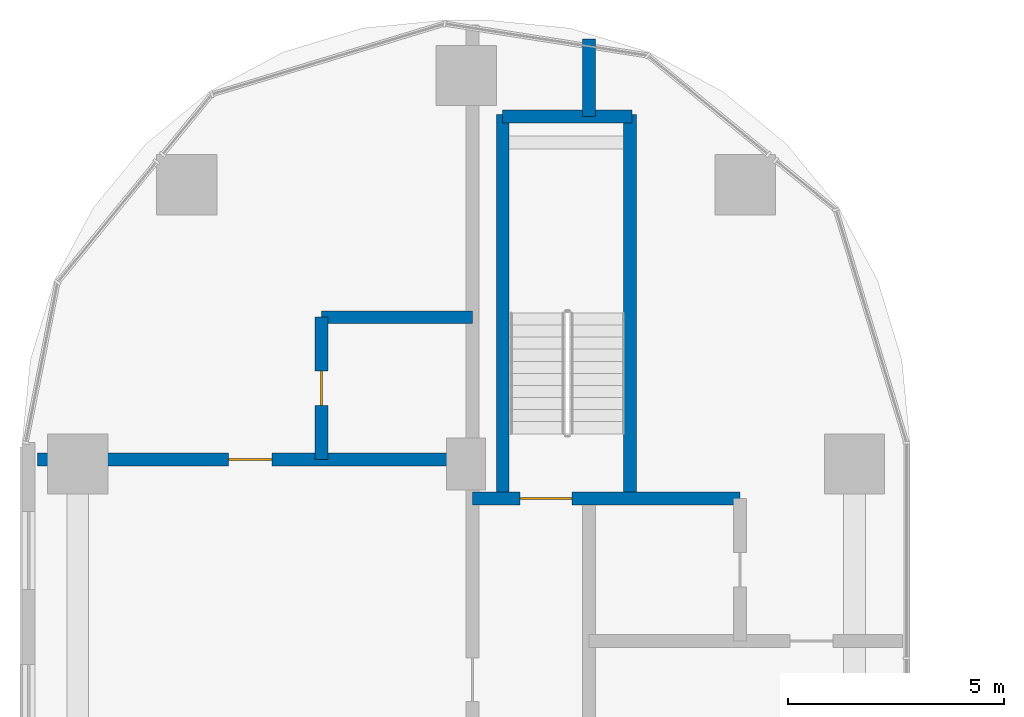
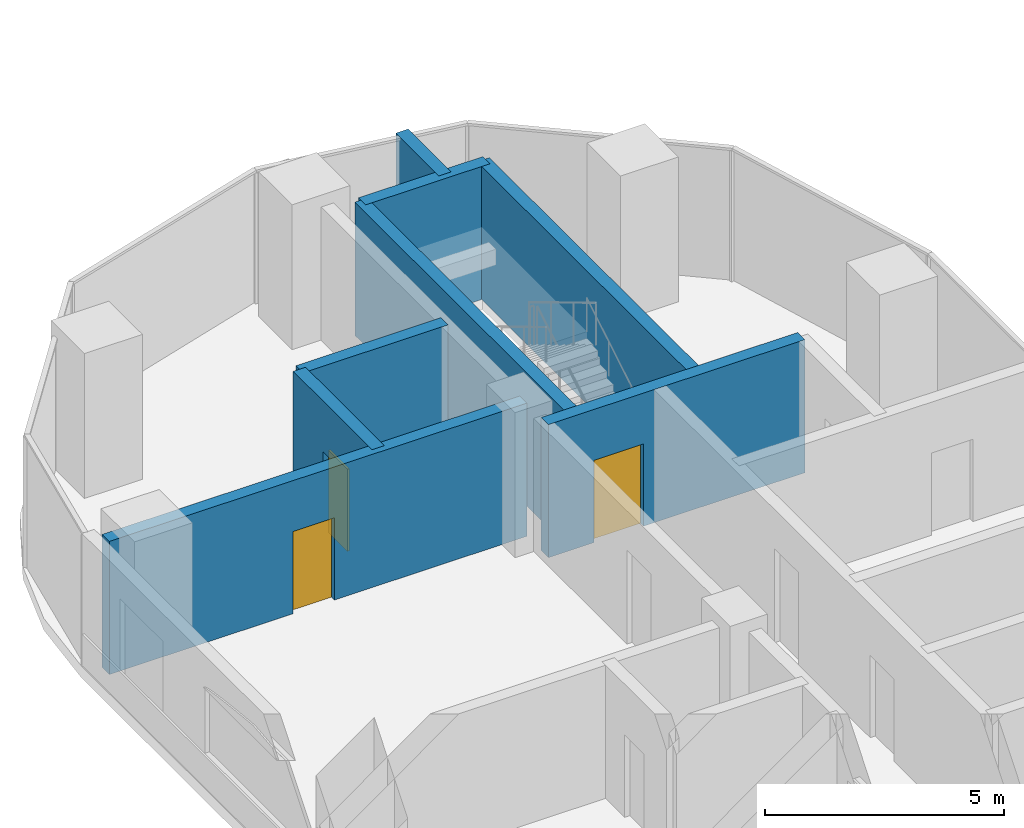
# One storey, part 23 of 36: 8 walls, 3 doors, 3 openings.
"""IFC4 building model written with IfcOpenShell, lengths in metres."""

from ifc_helpers import new_model, si_unit, direction, frame, frame_2d, origin, place, context, subcontext, project, spatial, rectangle, extrude, material, layer, layer_set, type_object, element, fill, save


model = new_model("IFC4")

# Units and contexts
model_context = context("Model", 3, precision=1e-05, world=origin(), true_north=direction((0.0, 1.0)))
body_context = subcontext(model_context, "Body", "Model", "MODEL_VIEW")
ifc_project = project(units=[si_unit("LENGTHUNIT", "METRE"), si_unit("AREAUNIT", "SQUARE_METRE"), si_unit("VOLUMEUNIT", "CUBIC_METRE"), si_unit("PLANEANGLEUNIT", "RADIAN"), si_unit("MASSUNIT", "GRAM", prefix="KILO")], contexts=[model_context])

# Site, building, storey
site_placement = place(None, origin())
site = spatial("IfcSite", under=ifc_project, at=site_placement, CompositionType="ELEMENT")
building_placement = place(site_placement, origin())
building = spatial("IfcBuilding", under=site, at=building_placement, Name="Ogive Portal Towers", CompositionType="ELEMENT")
storey_placement = place(building_placement, frame((0.0, 0.0, 48.300048828125)))
storey = spatial("IfcBuildingStorey", under=building, at=storey_placement, Name="L10", CompositionType="ELEMENT", Elevation=48.300048828125)

# Wall, opening, door
ifc_material_1 = material(Name="Concrete C50/60", Category="concrete")
ifc_layer_1 = layer(ifc_material_1, 0.300048828125)
ifc_layer_set_1 = layer_set([ifc_layer_1], Name="STAIR WALL 300 C50")
wall_type_1 = type_object("IfcWallType", Name="STAIR WALL 300 C50", PredefinedType="SHEAR", material=ifc_layer_set_1)
wall_1_placement = place(storey_placement, frame((40.64990234375, 65.699951171875, 0.0), z_axis=(0.0, 0.0, 1.0), x_axis=(1.0, 0.0, 0.0)))
wall_1 = element("IfcWall", 1, at=wall_1_placement, inside=storey, type_object=wall_type_1, Name="Stair wall ST-A3 L10", PredefinedType="SHEAR", context=body_context, shape_type="SweptSolid", body=[
    extrude(rectangle(XDim=6.2001953125, YDim=0.300048828125, at=frame_2d((3.10009765625, 0.0))), origin(), (0.0, 0.0, 1.0), 3.39990234375),
])
opening_1_placement = place(wall_1_placement, frame((1.10009765625, 0.0, 0.0)))
opening_1 = element("IfcOpeningElement", 2, at=opening_1_placement, cuts=wall_1, Name="Opening D02-068", PredefinedType="OPENING", context=body_context, shape_type="SweptSolid", body=[
    extrude(rectangle(XDim=1.199951171875, YDim=2.10009765625, at=frame_2d((0.60009765625, 1.050048828125))), frame((0.0, 0.16015625, 0.0), z_axis=(0.0, -1.0, 0.0), x_axis=(1.0, 0.0, 0.0)), (0.0, 0.0, 1.0), 0.320068359375),
])
ifc_material_2 = material(Name="Steel fire door", Category="steel")
door_type_1 = type_object("IfcDoorType", Name="DT-STAIR-1200x2100-FD90S", OperationType="SINGLE_SWING_LEFT", PredefinedType="DOOR", material=ifc_material_2)
door_1_placement = place(opening_1_placement, origin())
door_1 = element("IfcDoor", 3, at=door_1_placement, inside=storey, type_object=door_type_1, Name="Door D02-068", OperationType="SINGLE_SWING_RIGHT", OverallHeight=2.10009765625, OverallWidth=1.199951171875, PredefinedType="DOOR", context=body_context, shape_type="SweptSolid", body=[
    extrude(rectangle(XDim=1.199951171875, YDim=2.10009765625, at=frame_2d((0.60009765625, 1.050048828125))), frame((0.0, 0.02490234375, 0.0), z_axis=(0.0, -1.0, 0.0), x_axis=(1.0, 0.0, 0.0)), (0.0, 0.0, 1.0), 0.050048828125),
])
fill(opening_1, door_1)

# Walls
wall_2_placement = place(storey_placement, frame((41.35009765625, 74.550048828125, 0.0), z_axis=(0.0, 0.0, 1.0), x_axis=(1.0, 0.0, 0.0)))
element("IfcWall", 4, at=wall_2_placement, inside=storey, type_object=wall_type_1, Name="Stair wall ST-A3 L10", PredefinedType="SHEAR", context=body_context, shape_type="SweptSolid", body=[
    extrude(rectangle(XDim=3.0, YDim=0.300048828125, at=frame_2d((1.5, 0.0))), origin(), (0.0, 0.0, 1.0), 3.39990234375),
])
wall_3_placement = place(storey_placement, frame((41.35009765625, 65.75, 0.0), z_axis=(0.0, 0.0, 1.0), x_axis=(0.0, 1.0, 0.0)))
element("IfcWall", 5, at=wall_3_placement, inside=storey, type_object=wall_type_1, Name="Stair wall ST-A3 L10", PredefinedType="SHEAR", context=body_context, shape_type="SweptSolid", body=[
    extrude(rectangle(XDim=8.85009765625, YDim=0.300048828125, at=frame_2d((4.425048828125, 0.0))), origin(), (0.0, 0.0, 1.0), 3.39990234375),
])
wall_4_placement = place(storey_placement, frame((44.300048828125, 65.699951171875, 0.0), z_axis=(0.0, 0.0, 1.0), x_axis=(0.0, 1.0, 0.0)))
element("IfcWall", 6, at=wall_4_placement, inside=storey, type_object=wall_type_1, Name="Stair wall ST-A3 L10", PredefinedType="SHEAR", context=body_context, shape_type="SweptSolid", body=[
    extrude(rectangle(XDim=8.900146484375, YDim=0.300048828125, at=frame_2d((4.4501953125, 0.0))), origin(), (0.0, 0.0, 1.0), 3.39990234375),
])

# Wall, opening, door
ifc_material_3 = material(Name="Gypsum board partition on steel studs", Category="steel")
ifc_layer_2 = layer(ifc_material_3, 0.300048828125)
ifc_layer_set_2 = layer_set([ifc_layer_2], Name="WT-PART-300-EI 60")
wall_type_2 = type_object("IfcWallType", Name="WT-PART-300-EI 60", PredefinedType="PARTITIONING", material=ifc_layer_set_2)
wall_5_placement = place(storey_placement, frame((30.56494140625, 66.60009765625, 0.0), z_axis=(0.0, 0.0, 1.0), x_axis=(1.0, 0.0, 0.0)))
wall_5 = element("IfcWall", 7, at=wall_5_placement, inside=storey, type_object=wall_type_2, Name="Wall L10:w030", PredefinedType="PARTITIONING", context=body_context, shape_type="SweptSolid", body=[
    extrude(rectangle(XDim=10.0849609375, YDim=0.300048828125, at=frame_2d((5.04248046875, 0.0))), origin(), (0.0, 0.0, 1.0), 3.39990234375),
])
opening_2_placement = place(wall_5_placement, frame((4.43505859375, 0.0, 0.0)))
opening_2 = element("IfcOpeningElement", 8, at=opening_2_placement, cuts=wall_5, Name="Opening D02-062", PredefinedType="OPENING", context=body_context, shape_type="SweptSolid", body=[
    extrude(rectangle(XDim=1.0, YDim=2.10009765625, at=frame_2d((0.5, 1.050048828125))), frame((0.0, 0.16015625, 0.0), z_axis=(0.0, -1.0, 0.0), x_axis=(1.0, 0.0, 0.0)), (0.0, 0.0, 1.0), 0.320068359375),
])
door_type_2 = type_object("IfcDoorType", Name="DT-ENTRY-1000x2100-FD60S", OperationType="SINGLE_SWING_LEFT", PredefinedType="DOOR", material=ifc_material_2)
door_2_placement = place(opening_2_placement, origin())
door_2 = element("IfcDoor", 9, at=door_2_placement, inside=storey, type_object=door_type_2, Name="Door D02-062", OperationType="SINGLE_SWING_LEFT", OverallHeight=2.10009765625, OverallWidth=1.0, PredefinedType="DOOR", context=body_context, shape_type="SweptSolid", body=[
    extrude(rectangle(XDim=1.0, YDim=2.10009765625, at=frame_2d((0.5, 1.050048828125))), frame((0.0, 0.02490234375, 0.0), z_axis=(0.0, -1.0, 0.0), x_axis=(1.0, 0.0, 0.0)), (0.0, 0.0, 1.0), 0.050048828125),
])
fill(opening_2, door_2)

# Wall
wall_6_placement = place(storey_placement, frame((37.14990234375, 69.89990234375, 0.0), z_axis=(0.0, 0.0, 1.0), x_axis=(1.0, 0.0, 0.0)))
element("IfcWall", 10, at=wall_6_placement, inside=storey, type_object=wall_type_2, Name="Wall L10:w031", PredefinedType="PARTITIONING", context=body_context, shape_type="SweptSolid", body=[
    extrude(rectangle(XDim=3.5, YDim=0.300048828125, at=frame_2d((1.75, 0.0))), origin(), (0.0, 0.0, 1.0), 3.39990234375),
])

# Wall, opening, door
wall_7_placement = place(storey_placement, frame((37.14990234375, 66.60009765625, 0.0), z_axis=(0.0, 0.0, 1.0), x_axis=(0.0, 1.0, 0.0)))
wall_7 = element("IfcWall", 11, at=wall_7_placement, inside=storey, type_object=wall_type_2, Name="Wall L10:w033", PredefinedType="PARTITIONING", context=body_context, shape_type="SweptSolid", body=[
    extrude(rectangle(XDim=3.2998046875, YDim=0.300048828125, at=frame_2d((1.64990234375, 0.0))), origin(), (0.0, 0.0, 1.0), 3.39990234375),
])
opening_3_placement = place(wall_7_placement, frame((1.25, 0.0, 0.0)))
opening_3 = element("IfcOpeningElement", 12, at=opening_3_placement, cuts=wall_7, Name="Opening D02-063", PredefinedType="OPENING", context=body_context, shape_type="SweptSolid", body=[
    extrude(rectangle(XDim=0.800048828125, YDim=2.10009765625, at=frame_2d((0.39990234375, 1.050048828125))), frame((0.0, 0.16015625, 0.0), z_axis=(0.0, -1.0, 0.0), x_axis=(1.0, 0.0, 0.0)), (0.0, 0.0, 1.0), 0.320068359375),
])
door_type_3 = type_object("IfcDoorType", Name="DT-BATH-800x2100-FD60S", OperationType="SINGLE_SWING_LEFT", PredefinedType="DOOR", material=ifc_material_2)
door_3_placement = place(opening_3_placement, origin())
door_3 = element("IfcDoor", 13, at=door_3_placement, inside=storey, type_object=door_type_3, Name="Door D02-063", OperationType="SINGLE_SWING_LEFT", OverallHeight=2.10009765625, OverallWidth=0.800048828125, PredefinedType="DOOR", context=body_context, shape_type="SweptSolid", body=[
    extrude(rectangle(XDim=0.800048828125, YDim=2.10009765625, at=frame_2d((0.39990234375, 1.050048828125))), frame((0.0, 0.02490234375, 0.0), z_axis=(0.0, -1.0, 0.0), x_axis=(1.0, 0.0, 0.0)), (0.0, 0.0, 1.0), 0.050048828125),
])
fill(opening_3, door_3)

# Wall
ifc_material_4 = material(Name="Concrete C40/50", Category="concrete")
ifc_layer_3 = layer(ifc_material_4, 0.300048828125)
ifc_layer_set_3 = layer_set([ifc_layer_3], Name="WT-SHAFT-300")
wall_type_3 = type_object("IfcWallType", Name="WT-SHAFT-300", PredefinedType="SOLIDWALL", material=ifc_layer_set_3)
wall_8_placement = place(storey_placement, frame((43.35009765625, 74.550048828125, 0.0), z_axis=(0.0, 0.0, 1.0), x_axis=(0.0, 1.0, 0.0)))
element("IfcWall", 14, at=wall_8_placement, inside=storey, type_object=wall_type_3, Name="Wall L10:w039", PredefinedType="SOLIDWALL", context=body_context, shape_type="SweptSolid", body=[
    extrude(rectangle(XDim=1.799072265625, YDim=0.300048828125, at=frame_2d((0.8994140625, 0.0))), origin(), (0.0, 0.0, 1.0), 3.39990234375),
])

save(model, "model.ifc")
